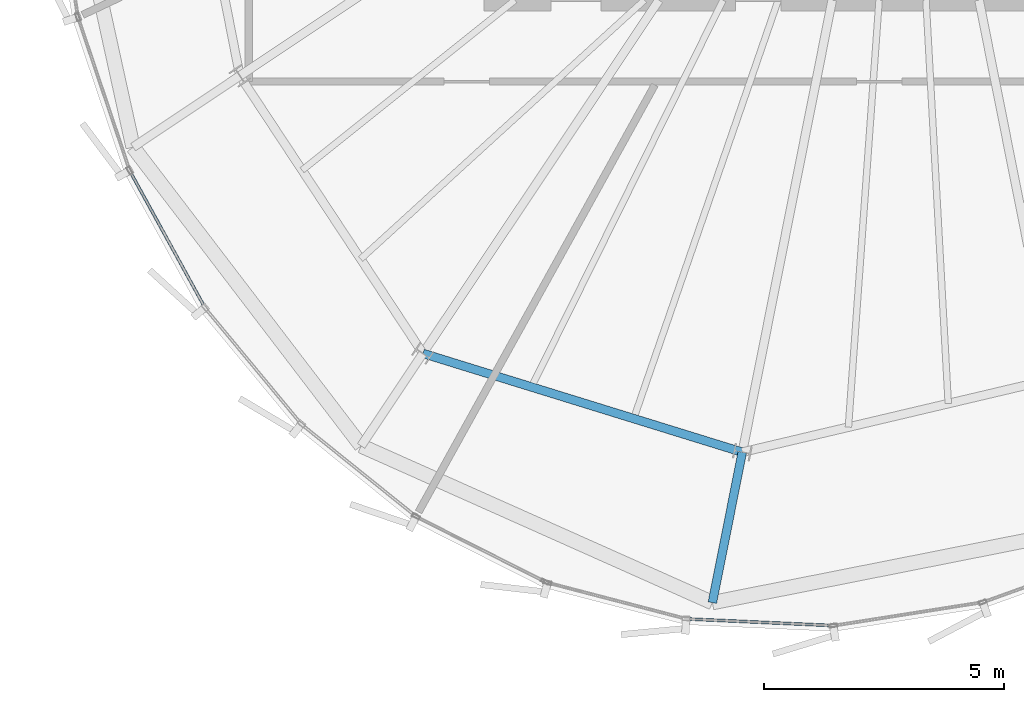
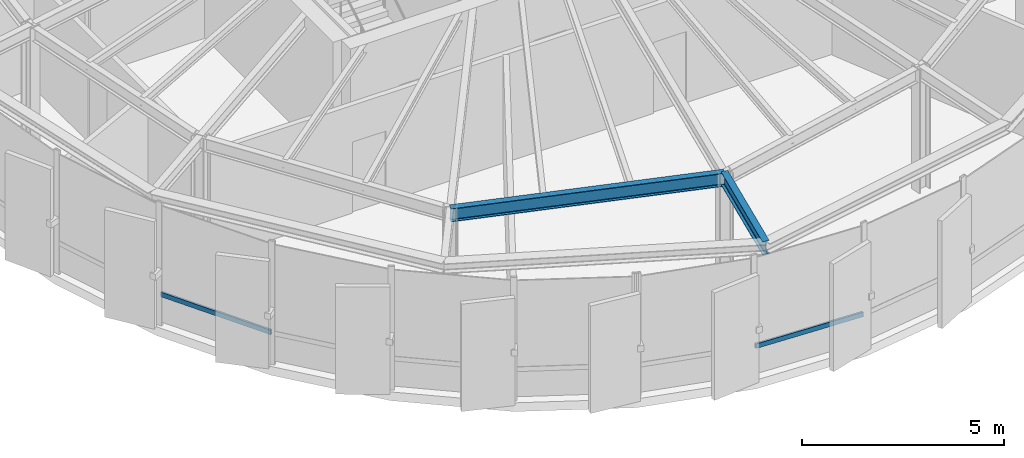
# One storey, part 3 of 27: 2 beams, 2 members, 2 elements without a shape of their own.
"""IFC4 building model written with IfcOpenShell, lengths in metres."""

from ifc_helpers import new_model, si_unit, direction, frame, origin, origin_2d, place, context, subcontext, project, spatial, hollow_rectangle, i_section, extrude, source, transform, mapped, material, layer, layer_set, material_profile, profile_set, type_object, element, aggregate, save


model = new_model("IFC4")

# Units and contexts
model_context = context("Model", 3, precision=1e-05, world=origin(), true_north=direction((0.0, 1.0)))
body_context = subcontext(model_context, "Body", "Model", "MODEL_VIEW")
ifc_project = project(units=[si_unit("LENGTHUNIT", "METRE"), si_unit("AREAUNIT", "SQUARE_METRE"), si_unit("VOLUMEUNIT", "CUBIC_METRE"), si_unit("PLANEANGLEUNIT", "RADIAN"), si_unit("MASSUNIT", "GRAM", prefix="KILO"), si_unit("THERMODYNAMICTEMPERATUREUNIT", "KELVIN")], contexts=[model_context])

# Site, building, storey
site_placement = place(None, origin())
site = spatial("IfcSite", under=ifc_project, at=site_placement, CompositionType="ELEMENT")
building_placement = place(site_placement, origin())
building = spatial("IfcBuilding", under=site, at=building_placement, Name="Kethvar Cultural Tower", CompositionType="ELEMENT")
storey_placement = place(building_placement, frame((0.0, 0.0, 312.300048828125)))
storey = spatial("IfcBuildingStorey", under=building, at=storey_placement, Name="L83", CompositionType="ELEMENT", Elevation=312.300048828125)

# Beams
ifc_material_1 = material(Name="Steel S355J2", Category="steel")
ifc_material_profile_1 = material_profile(ifc_material_1, i_section(OverallWidth=0.179931640625, OverallDepth=0.39990234375, WebThickness=0.008544921875, FlangeThickness=0.013427734375, FilletRadius=0.02099609375, at=origin_2d()), Name="Steel S355J2 — IPE400")
ifc_profile_set_1 = profile_set([ifc_material_profile_1], Name="Steel S355J2 — IPE400")
beam_type = type_object("IfcBeamType", Name="BM-IPE400", PredefinedType="BEAM", material=ifc_profile_set_1)
shared_shape_1 = source(origin(), body_context, "Body", "SweptSolid", [
    extrude(i_section(OverallWidth=0.179931640625, OverallDepth=0.39990234375, WebThickness=0.008544921875, FlangeThickness=0.013427734375, FilletRadius=0.02099609375, at=origin_2d()), origin(), (0.0, 0.0, 1.0), 3.2001953125),
])
beam_1_placement = place(storey_placement, frame((43.392822265625, 10.67138671875, 3.532958984375), z_axis=(-0.195074368086, -0.980788453702, 0.0), x_axis=(0.980788453702, -0.195074368086, 0.0)))
element("IfcBeam", 1, at=beam_1_placement, inside=storey, type_object=beam_type, Name="L83 Perimeter Cantilever Beam RC-12", PredefinedType="BEAM", context=body_context, shape_type="MappedRepresentation", body=[
    mapped(shared_shape_1, transform((0.0, 0.0, 0.0), scale=1.0)),
])
shared_shape_2 = source(origin(), body_context, "Body", "SweptSolid", [
    extrude(i_section(OverallWidth=0.179931640625, OverallDepth=0.39990234375, WebThickness=0.008544921875, FlangeThickness=0.013427734375, FilletRadius=0.02099609375, at=origin_2d()), origin(), (0.0, 0.0, 1.0), 6.97265625),
])
beam_2_placement = place(storey_placement, frame((36.731201171875, 12.73095703125, 3.532958984375), z_axis=(0.955381444404, -0.295374839295, 0.0), x_axis=(0.295374839295, 0.955381444404, 0.0)))
element("IfcBeam", 2, at=beam_2_placement, inside=storey, type_object=beam_type, Name="L83 Column Ring Tie Beam CR-11", PredefinedType="BEAM", context=body_context, shape_type="MappedRepresentation", body=[
    mapped(shared_shape_2, transform((0.0, 0.0, 0.0), scale=1.0)),
])

# Curtain wall, member
ifc_material_2 = material(Name="Aluminium 6063-T6", Category="aluminium")
ifc_layer = layer(ifc_material_2, 0.179931640625, Name="Aluminium 6063-T6", Category="aluminium")
ifc_layer_set = layer_set([ifc_layer], Name="Aluminium 6063-T6 (180 mm)")
curtain_wall_type = type_object("IfcCurtainWallType", Name="CW-SYS-06-CROWN", PredefinedType="NOTDEFINED", material=ifc_layer_set)
curtain_wall_1_placement = place(storey_placement, origin())
curtain_wall_1 = element("IfcCurtainWall", 3, at=curtain_wall_1_placement, inside=storey, type_object=curtain_wall_type, Name="L83 Curtain Wall Run 03", PredefinedType="NOTDEFINED")
ifc_material_profile_2 = material_profile(ifc_material_2, hollow_rectangle(XDim=0.06005859375, YDim=0.139892578125, WallThickness=0.0048828125, at=origin_2d()), Name="Aluminium 6063-T6 — RHS140x60x5")
ifc_profile_set_2 = profile_set([ifc_material_profile_2], Name="Aluminium 6063-T6 — RHS140x60x5")
member_type = type_object("IfcMemberType", Name="CW-SYS-06-CROWN-TRN", PredefinedType="USERDEFINED", material=ifc_profile_set_2)
shared_shape_3 = source(origin(), body_context, "Body", "SweptSolid", [
    extrude(hollow_rectangle(XDim=0.06005859375, YDim=0.139892578125, WallThickness=0.0048828125, at=origin_2d()), origin(), (0.0, 0.0, 1.0), 3.1904296875),
])
member_1_placement = place(storey_placement, frame((30.635498046875, 16.503173828125, 0.949951171875), z_axis=(0.481707234841, -0.876332208641, 0.0), x_axis=(0.876332208641, 0.481707234841, 0.0)))
member_1 = element("IfcMember", 4, at=member_1_placement, type_object=member_type, Name="CW-L83-R03 Transom 3", ObjectType="TRANSOM", PredefinedType="USERDEFINED", context=body_context, shape_type="MappedRepresentation", body=[
    mapped(shared_shape_3, transform((0.0, 0.0, 0.0), scale=1.0)),
])
aggregate(curtain_wall_1, [member_1])

curtain_wall_2_placement = place(storey_placement, origin())
curtain_wall_2 = element("IfcCurtainWall", 5, at=curtain_wall_2_placement, inside=storey, type_object=curtain_wall_type, Name="L83 Curtain Wall Run 04", PredefinedType="NOTDEFINED")
shared_shape_4 = source(origin(), body_context, "Body", "SweptSolid", [
    extrude(hollow_rectangle(XDim=0.06005859375, YDim=0.139892578125, WallThickness=0.0048828125, at=origin_2d()), origin(), (0.0, 0.0, 1.0), 3.00439453125),
])
member_2_placement = place(storey_placement, frame((42.266845703125, 7.19140625, 0.949951171875), z_axis=(0.998971386654, -0.045344995831, 0.0), x_axis=(0.045344995831, 0.998971386654, 0.0)))
member_2 = element("IfcMember", 6, at=member_2_placement, type_object=member_type, Name="CW-L83-R04 Transom 2", ObjectType="TRANSOM", PredefinedType="USERDEFINED", context=body_context, shape_type="MappedRepresentation", body=[
    mapped(shared_shape_4, transform((0.0, 0.0, 0.0), scale=1.0)),
])
aggregate(curtain_wall_2, [member_2])

save(model, "model.ifc")
